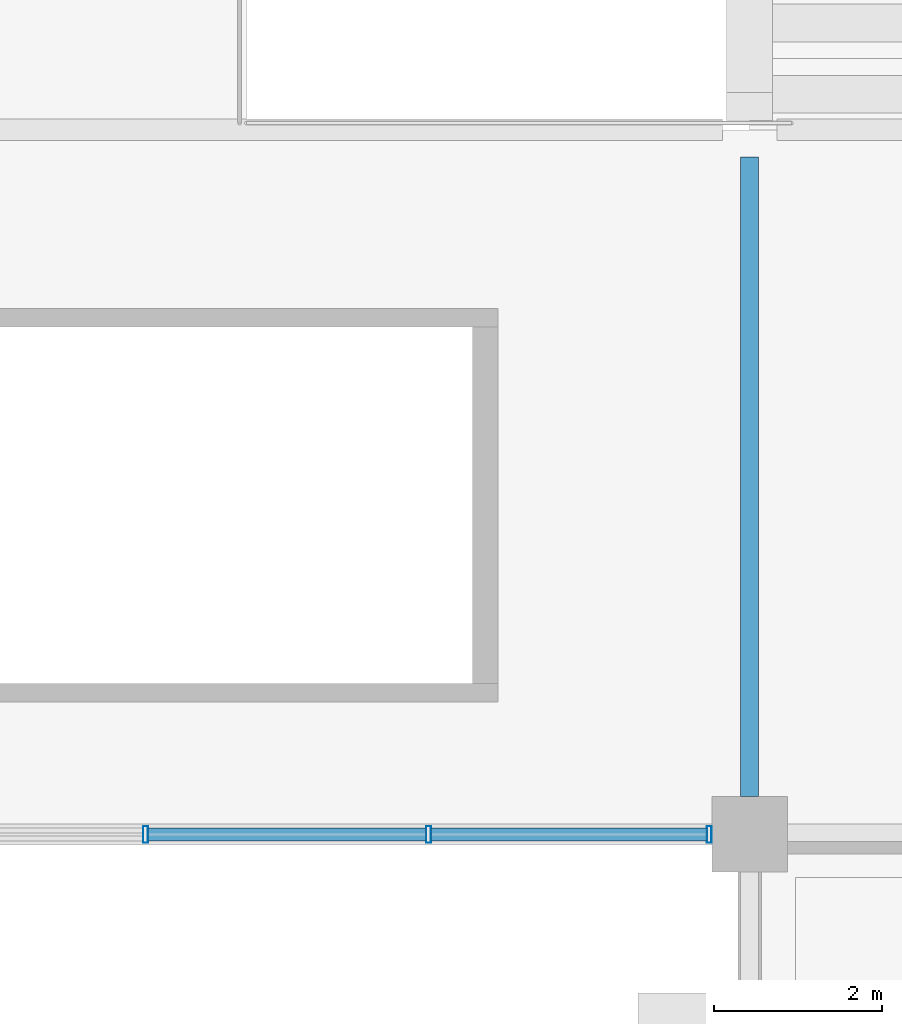
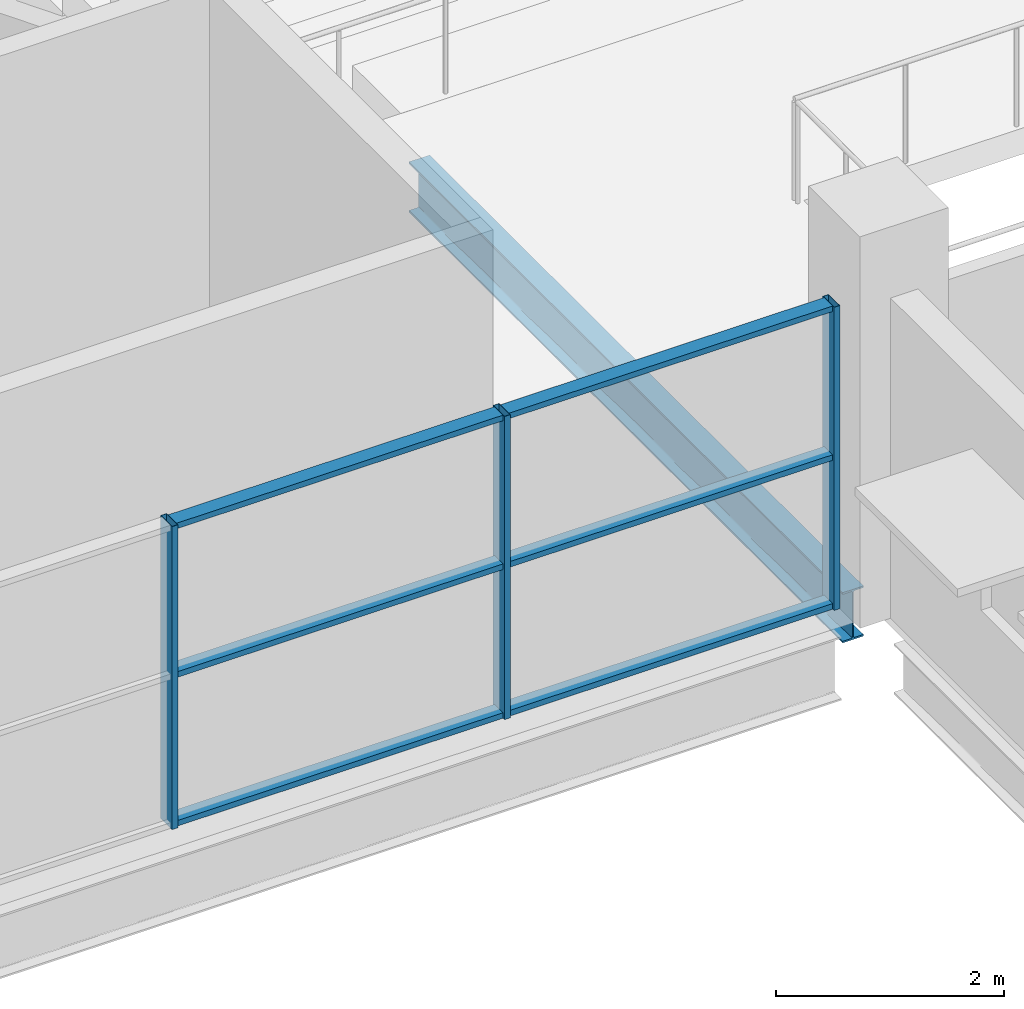
# One storey, part 20 of 161: 9 members, 1 beam, 1 element without a shape of its own.
"""IFC4 building model written with IfcOpenShell, lengths in metres."""

from ifc_helpers import new_model, si_unit, direction, frame, origin, origin_2d, place, context, subcontext, project, spatial, hollow_rectangle, i_section, extrude, material, material_profile, profile_set, type_object, element, aggregate, save


model = new_model("IFC4")

# Units and contexts
model_context = context("Model", 3, precision=1e-05, world=origin(), true_north=direction((0.0, 1.0)))
body_context = subcontext(model_context, "Body", "Model", "MODEL_VIEW")
ifc_project = project(units=[si_unit("LENGTHUNIT", "METRE"), si_unit("AREAUNIT", "SQUARE_METRE"), si_unit("VOLUMEUNIT", "CUBIC_METRE"), si_unit("PLANEANGLEUNIT", "RADIAN"), si_unit("MASSUNIT", "GRAM", prefix="KILO"), si_unit("THERMODYNAMICTEMPERATUREUNIT", "KELVIN")], contexts=[model_context])

# Site, building, storey
site_placement = place(None, origin())
site = spatial("IfcSite", under=ifc_project, at=site_placement, CompositionType="ELEMENT")
building_placement = place(site_placement, origin())
building = spatial("IfcBuilding", under=site, at=building_placement, Name="Nduvali Passage Aquatics Centre", CompositionType="ELEMENT")
storey_placement = place(building_placement, frame((0.0, 0.0, 4.800048828125)))
storey = spatial("IfcBuildingStorey", under=building, at=storey_placement, Name="L01", CompositionType="ELEMENT", Elevation=4.800048828125)

# Curtain wall, members
ifc_material_1 = material(Name="Aluminium EN AW-6063 T6", Category="aluminium")
curtain_wall_type = type_object("IfcCurtainWallType", Name="ENV-CW-HALL", PredefinedType="NOTDEFINED", material=ifc_material_1)
curtain_wall_placement = place(storey_placement, origin())
curtain_wall = element("IfcCurtainWall", 1, at=curtain_wall_placement, inside=storey, type_object=curtain_wall_type, Name="L01 South Pool Hall Corner CW 044", PredefinedType="NOTDEFINED")
ifc_material_profile_1 = material_profile(ifc_material_1, hollow_rectangle(XDim=0.06005859375, YDim=0.199951171875, WallThickness=0.00390625, at=origin_2d()), Name="ALU MULLION 60x200x4")
ifc_profile_set_1 = profile_set([ifc_material_profile_1], Name="Aluminium EN AW-6063 T6")
member_type_1 = type_object("IfcMemberType", Name="ENV-MEM-MUL80", PredefinedType="MULLION", material=ifc_profile_set_1)
member_1_placement = place(storey_placement, frame((32.39990234375, 25.199951171875, 0.0), z_axis=(0.0, 0.0, 1.0), x_axis=(1.0, 0.0, 0.0)))
member_1 = element("IfcMember", 2, at=member_1_placement, type_object=member_type_1, Name="South Pool Hall Corner CW Mullion 3", PredefinedType="MULLION", context=body_context, shape_type="SweptSolid", body=[
    extrude(hollow_rectangle(XDim=0.06005859375, YDim=0.199951171875, WallThickness=0.00390625, at=origin_2d()), origin(), (0.0, 0.0, 1.0), 3.25244140625),
])
member_2_placement = place(storey_placement, frame((35.77490234375, 25.199951171875, 0.0), z_axis=(0.0, 0.0, 1.0), x_axis=(1.0, 0.0, 0.0)))
member_2 = element("IfcMember", 3, at=member_2_placement, type_object=member_type_1, Name="South Pool Hall Corner CW Mullion 4", PredefinedType="MULLION", context=body_context, shape_type="SweptSolid", body=[
    extrude(hollow_rectangle(XDim=0.06005859375, YDim=0.199951171875, WallThickness=0.00390625, at=origin_2d()), origin(), (0.0, 0.0, 1.0), 3.25244140625),
])
member_3_placement = place(storey_placement, frame((39.1201171875, 25.199951171875, 0.0), z_axis=(0.0, 0.0, 1.0), x_axis=(1.0, 0.0, 0.0)))
member_3 = element("IfcMember", 4, at=member_3_placement, type_object=member_type_1, Name="South Pool Hall Corner CW Mullion 5", PredefinedType="MULLION", context=body_context, shape_type="SweptSolid", body=[
    extrude(hollow_rectangle(XDim=0.06005859375, YDim=0.199951171875, WallThickness=0.00390625, at=origin_2d()), origin(), (0.0, 0.0, 1.0), 3.25244140625),
])
ifc_material_profile_2 = material_profile(ifc_material_1, hollow_rectangle(XDim=0.14990234375, YDim=0.06005859375, WallThickness=0.00390625, at=origin_2d()), Name="ALU TRANSOM 150x60x4")
ifc_profile_set_2 = profile_set([ifc_material_profile_2], Name="Aluminium EN AW-6063 T6")
member_type_2 = type_object("IfcMemberType", Name="ENV-MEM-TRN80", PredefinedType="USERDEFINED", material=ifc_profile_set_2)
member_4_placement = place(storey_placement, frame((32.429931640625, 25.199951171875, 0.030029296875), z_axis=(1.0, 0.0, 0.0), x_axis=(0.0, 1.0, 0.0)))
member_4 = element("IfcMember", 5, at=member_4_placement, type_object=member_type_2, Name="South Pool Hall Corner CW Transom B3-R0", ObjectType="TRANSOM", PredefinedType="USERDEFINED", context=body_context, shape_type="SweptSolid", body=[
    extrude(hollow_rectangle(XDim=0.14990234375, YDim=0.06005859375, WallThickness=0.00390625, at=origin_2d()), origin(), (0.0, 0.0, 1.0), 3.315185546875),
])
member_5_placement = place(storey_placement, frame((32.429931640625, 25.199951171875, 1.626220703125), z_axis=(1.0, 0.0, 0.0), x_axis=(0.0, 1.0, 0.0)))
member_5 = element("IfcMember", 6, at=member_5_placement, type_object=member_type_2, Name="South Pool Hall Corner CW Transom B3-R1", ObjectType="TRANSOM", PredefinedType="USERDEFINED", context=body_context, shape_type="SweptSolid", body=[
    extrude(hollow_rectangle(XDim=0.14990234375, YDim=0.06005859375, WallThickness=0.00390625, at=origin_2d()), origin(), (0.0, 0.0, 1.0), 3.315185546875),
])
member_6_placement = place(storey_placement, frame((32.429931640625, 25.199951171875, 3.22265625), z_axis=(1.0, 0.0, 0.0), x_axis=(0.0, 1.0, 0.0)))
member_6 = element("IfcMember", 7, at=member_6_placement, type_object=member_type_2, Name="South Pool Hall Corner CW Transom B3-R2", ObjectType="TRANSOM", PredefinedType="USERDEFINED", context=body_context, shape_type="SweptSolid", body=[
    extrude(hollow_rectangle(XDim=0.14990234375, YDim=0.06005859375, WallThickness=0.00390625, at=origin_2d()), origin(), (0.0, 0.0, 1.0), 3.315185546875),
])
member_7_placement = place(storey_placement, frame((35.804931640625, 25.199951171875, 0.030029296875), z_axis=(1.0, 0.0, 0.0), x_axis=(0.0, 1.0, 0.0)))
member_7 = element("IfcMember", 8, at=member_7_placement, type_object=member_type_2, Name="South Pool Hall Corner CW Transom B4-R0", ObjectType="TRANSOM", PredefinedType="USERDEFINED", context=body_context, shape_type="SweptSolid", body=[
    extrude(hollow_rectangle(XDim=0.14990234375, YDim=0.06005859375, WallThickness=0.00390625, at=origin_2d()), origin(), (0.0, 0.0, 1.0), 3.28515625),
])
member_8_placement = place(storey_placement, frame((35.804931640625, 25.199951171875, 1.626220703125), z_axis=(1.0, 0.0, 0.0), x_axis=(0.0, 1.0, 0.0)))
member_8 = element("IfcMember", 9, at=member_8_placement, type_object=member_type_2, Name="South Pool Hall Corner CW Transom B4-R1", ObjectType="TRANSOM", PredefinedType="USERDEFINED", context=body_context, shape_type="SweptSolid", body=[
    extrude(hollow_rectangle(XDim=0.14990234375, YDim=0.06005859375, WallThickness=0.00390625, at=origin_2d()), origin(), (0.0, 0.0, 1.0), 3.28515625),
])
member_9_placement = place(storey_placement, frame((35.804931640625, 25.199951171875, 3.22265625), z_axis=(1.0, 0.0, 0.0), x_axis=(0.0, 1.0, 0.0)))
member_9 = element("IfcMember", 10, at=member_9_placement, type_object=member_type_2, Name="South Pool Hall Corner CW Transom B4-R2", ObjectType="TRANSOM", PredefinedType="USERDEFINED", context=body_context, shape_type="SweptSolid", body=[
    extrude(hollow_rectangle(XDim=0.14990234375, YDim=0.06005859375, WallThickness=0.00390625, at=origin_2d()), origin(), (0.0, 0.0, 1.0), 3.28515625),
])
aggregate(curtain_wall, [member_1, member_2, member_3, member_4, member_5, member_6, member_7, member_8, member_9])

# Beam
ifc_material_2 = material(Name="Steel S355", Category="steel")
ifc_material_profile_3 = material_profile(ifc_material_2, i_section(OverallWidth=0.210693359375, OverallDepth=0.53955078125, WebThickness=0.01171875, FlangeThickness=0.018798828125, FilletRadius=0.0126953125, at=origin_2d()), Name="UKB 533x210x109")
ifc_profile_set_3 = profile_set([ifc_material_profile_3], Name="Steel S355")
beam_type = type_object("IfcBeamType", Name="STR-BM-UKB533-EXT", PredefinedType="BEAM", material=ifc_profile_set_3)
beam_placement = place(storey_placement, frame((39.60009765625, 25.64990234375, -0.553955078125), z_axis=(0.0, 1.0, 0.0), x_axis=(-1.0, 0.0, 0.0)))
element("IfcBeam", 11, at=beam_placement, inside=storey, type_object=beam_type, Name="L01 Primary Y-Girder B6E-0579", PredefinedType="BEAM", context=body_context, shape_type="SweptSolid", body=[
    extrude(i_section(OverallWidth=0.210693359375, OverallDepth=0.53955078125, WebThickness=0.01171875, FlangeThickness=0.018798828125, FilletRadius=0.0126953125, at=origin_2d()), origin(), (0.0, 0.0, 1.0), 7.625),
])

save(model, "model.ifc")
